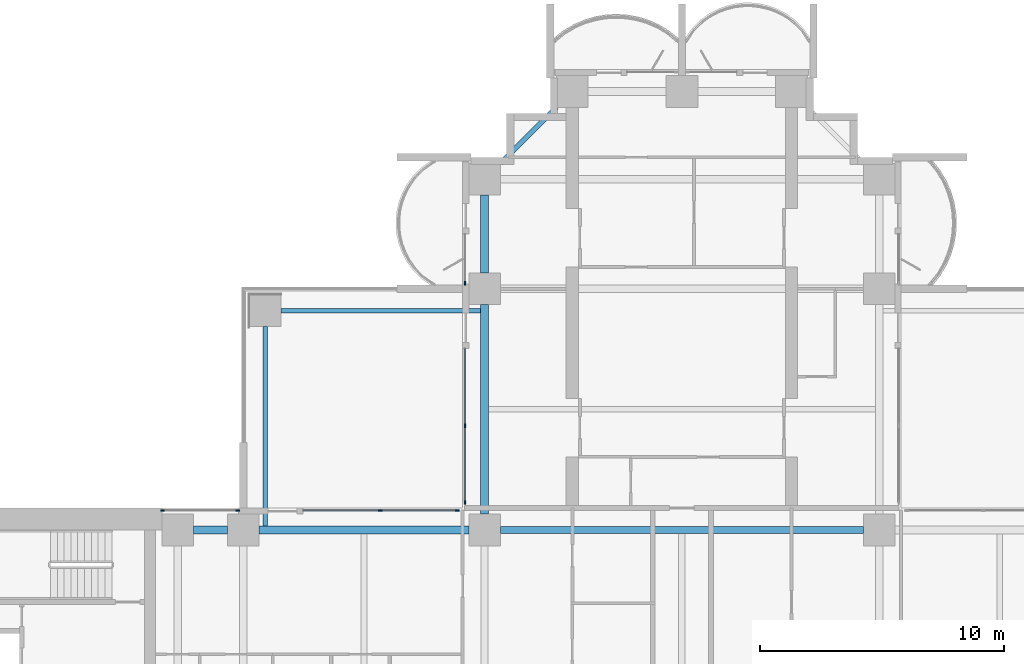
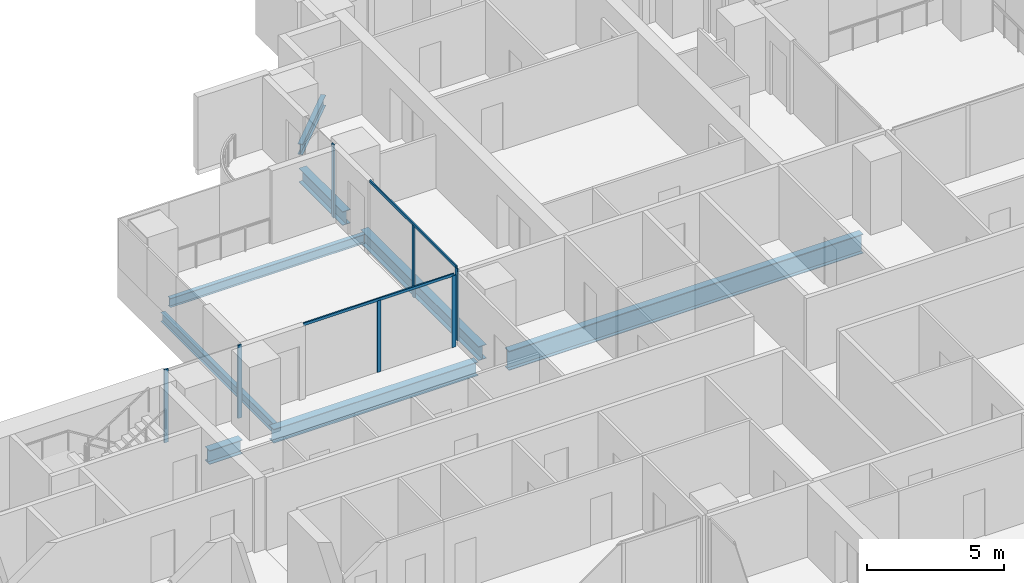
# One storey, part 5 of 21: 9 members, 8 beams, 4 elements without a shape of their own.
"""IFC4 building model written with IfcOpenShell, lengths in metres."""

from ifc_helpers import new_model, si_unit, direction, frame, origin, origin_2d, place, context, subcontext, project, spatial, rectangle, i_section, extrude, material, material_profile, profile_set, type_object, element, aggregate, save


model = new_model("IFC4")

# Units and contexts
model_context = context("Model", 3, precision=1e-05, world=origin(), true_north=direction((0.0, 1.0)))
body_context = subcontext(model_context, "Body", "Model", "MODEL_VIEW")
ifc_project = project(units=[si_unit("LENGTHUNIT", "METRE"), si_unit("AREAUNIT", "SQUARE_METRE"), si_unit("VOLUMEUNIT", "CUBIC_METRE"), si_unit("PLANEANGLEUNIT", "RADIAN"), si_unit("MASSUNIT", "GRAM", prefix="KILO")], contexts=[model_context])

# Site, building, storey
site_placement = place(None, origin())
site = spatial("IfcSite", under=ifc_project, at=site_placement, CompositionType="ELEMENT")
building_placement = place(site_placement, origin())
building = spatial("IfcBuilding", under=site, at=building_placement, Name="Perihelion Cross Residences", CompositionType="ELEMENT")
storey_placement = place(building_placement, frame((0.0, 0.0, 47.0)))
storey = spatial("IfcBuildingStorey", under=building, at=storey_placement, Name="L08", CompositionType="ELEMENT", Elevation=47.0)

# Curtain wall, member
ifc_material_1 = material(Name="Bronze anodised aluminium, tinted glazing", Category="aluminium")
curtain_wall_type = type_object("IfcCurtainWallType", Name="CW1", PredefinedType="NOTDEFINED", material=ifc_material_1)
curtain_wall_1_placement = place(storey_placement, origin())
curtain_wall_1 = element("IfcCurtainWall", 1, at=curtain_wall_1_placement, inside=storey, type_object=curtain_wall_type, Name="Curtain wall CW1 L08 north side west bay 1", PredefinedType="NOTDEFINED")
ifc_material_2 = material(Name="Bronze anodised aluminium", Category="aluminium")
ifc_material_profile_1 = material_profile(ifc_material_2, rectangle(XDim=0.06005859375, YDim=0.159912109375, at=origin_2d()), Name="CW1 mullion")
ifc_profile_set_1 = profile_set([ifc_material_profile_1], Name="Bronze anodised aluminium")
member_type_1 = type_object("IfcMemberType", Name="CW1 mullion", PredefinedType="MULLION", material=ifc_profile_set_1)
member_1_placement = place(storey_placement, frame((-8.89990234375, 18.22998046875, 0.0), z_axis=(0.0, 0.0, 1.0), x_axis=(1.0, 0.0, 0.0)))
member_1 = element("IfcMember", 2, at=member_1_placement, type_object=member_type_1, Name="CW1 mullion 2", PredefinedType="MULLION", context=body_context, shape_type="SweptSolid", body=[
    extrude(rectangle(XDim=0.06005859375, YDim=0.159912109375, at=origin_2d()), origin(), (0.0, 0.0, 1.0), 3.25),
])
aggregate(curtain_wall_1, [member_1])

# Curtain wall, members
curtain_wall_2_placement = place(storey_placement, origin())
curtain_wall_2 = element("IfcCurtainWall", 3, at=curtain_wall_2_placement, inside=storey, type_object=curtain_wall_type, Name="Curtain wall CW1 L08 north side west bay 2", PredefinedType="NOTDEFINED")
member_2_placement = place(storey_placement, frame((-8.89990234375, 12.375, 0.0), z_axis=(0.0, 0.0, 1.0), x_axis=(1.0, 0.0, 0.0)))
member_2 = element("IfcMember", 4, at=member_2_placement, type_object=member_type_1, Name="CW1 mullion 2", PredefinedType="MULLION", context=body_context, shape_type="SweptSolid", body=[
    extrude(rectangle(XDim=0.06005859375, YDim=0.159912109375, at=origin_2d()), origin(), (0.0, 0.0, 1.0), 3.18994140625),
])
member_3_placement = place(storey_placement, frame((-8.89990234375, 9.22998046875, 0.0), z_axis=(0.0, 0.0, 1.0), x_axis=(1.0, 0.0, 0.0)))
member_3 = element("IfcMember", 5, at=member_3_placement, type_object=member_type_1, Name="CW1 mullion 3", PredefinedType="MULLION", context=body_context, shape_type="SweptSolid", body=[
    extrude(rectangle(XDim=0.06005859375, YDim=0.159912109375, at=origin_2d()), origin(), (0.0, 0.0, 1.0), 3.18994140625),
])

curtain_wall_3_placement = place(storey_placement, origin())
curtain_wall_3 = element("IfcCurtainWall", 6, at=curtain_wall_3_placement, inside=storey, type_object=curtain_wall_type, Name="Curtain wall CW1 L08 west side north bay 1", PredefinedType="NOTDEFINED")
member_4_placement = place(storey_placement, frame((-9.22998046875, 8.89990234375, 0.0), z_axis=(0.0, 0.0, 1.0), x_axis=(0.0, -1.0, 0.0)))
member_4 = element("IfcMember", 7, at=member_4_placement, type_object=member_type_1, Name="CW1 mullion 1", PredefinedType="MULLION", context=body_context, shape_type="SweptSolid", body=[
    extrude(rectangle(XDim=0.06005859375, YDim=0.159912109375, at=origin_2d()), origin(), (0.0, 0.0, 1.0), 3.18994140625),
])
member_5_placement = place(storey_placement, frame((-12.375, 8.89990234375, 0.0), z_axis=(0.0, 0.0, 1.0), x_axis=(0.0, -1.0, 0.0)))
member_5 = element("IfcMember", 8, at=member_5_placement, type_object=member_type_1, Name="CW1 mullion 2", PredefinedType="MULLION", context=body_context, shape_type="SweptSolid", body=[
    extrude(rectangle(XDim=0.06005859375, YDim=0.159912109375, at=origin_2d()), origin(), (0.0, 0.0, 1.0), 3.18994140625),
])

curtain_wall_4_placement = place(storey_placement, origin())
curtain_wall_4 = element("IfcCurtainWall", 9, at=curtain_wall_4_placement, inside=storey, type_object=curtain_wall_type, Name="Curtain wall CW1 L08 west side north bay 2", PredefinedType="NOTDEFINED")
member_6_placement = place(storey_placement, frame((-18.22998046875, 8.89990234375, 0.0), z_axis=(0.0, 0.0, 1.0), x_axis=(0.0, -1.0, 0.0)))
member_6 = element("IfcMember", 10, at=member_6_placement, type_object=member_type_1, Name="CW1 mullion 1", PredefinedType="MULLION", context=body_context, shape_type="SweptSolid", body=[
    extrude(rectangle(XDim=0.06005859375, YDim=0.159912109375, at=origin_2d()), origin(), (0.0, 0.0, 1.0), 3.25),
])
member_7_placement = place(storey_placement, frame((-21.320068359375, 8.89990234375, 0.0), z_axis=(0.0, 0.0, 1.0), x_axis=(0.0, -1.0, 0.0)))
member_7 = element("IfcMember", 11, at=member_7_placement, type_object=member_type_1, Name="CW1 mullion 2", PredefinedType="MULLION", context=body_context, shape_type="SweptSolid", body=[
    extrude(rectangle(XDim=0.06005859375, YDim=0.159912109375, at=origin_2d()), origin(), (0.0, 0.0, 1.0), 3.25),
])
aggregate(curtain_wall_4, [member_6, member_7])

# Member
ifc_material_3 = material(Name="Bronze anodised aluminium", Category="aluminium")
ifc_material_profile_2 = material_profile(ifc_material_3, rectangle(XDim=0.06005859375, YDim=0.1201171875, at=origin_2d()), Name="CW1 transom")
ifc_profile_set_2 = profile_set([ifc_material_profile_2], Name="Bronze anodised aluminium")
member_type_2 = type_object("IfcMemberType", Name="CW1 transom", PredefinedType="USERDEFINED", material=ifc_profile_set_2)
member_8_placement = place(storey_placement, frame((-8.89990234375, 15.550048828125, 3.219970703125), z_axis=(0.0, -1.0, 0.0), x_axis=(1.0, 0.0, 0.0)))
member_8 = element("IfcMember", 12, at=member_8_placement, type_object=member_type_2, Name="CW1 head transom", ObjectType="TRANSOM", PredefinedType="USERDEFINED", context=body_context, shape_type="SweptSolid", body=[
    extrude(rectangle(XDim=0.06005859375, YDim=0.1201171875, at=origin_2d()), origin(), (0.0, 0.0, 1.0), 6.320068359375),
])

aggregate(curtain_wall_2, [member_2, member_3, member_8])

member_9_placement = place(storey_placement, frame((-9.22998046875, 8.89990234375, 3.219970703125), z_axis=(-1.0, 0.0, 0.0), x_axis=(0.0, -1.0, 0.0)))
member_9 = element("IfcMember", 13, at=member_9_placement, type_object=member_type_2, Name="CW1 head transom", ObjectType="TRANSOM", PredefinedType="USERDEFINED", context=body_context, shape_type="SweptSolid", body=[
    extrude(rectangle(XDim=0.06005859375, YDim=0.1201171875, at=origin_2d()), origin(), (0.0, 0.0, 1.0), 6.320068359375),
])

aggregate(curtain_wall_3, [member_4, member_5, member_9])

# Beams
ifc_material_4 = material(Name="Steel S355", Category="steel")
ifc_material_profile_3 = material_profile(ifc_material_4, i_section(OverallWidth=0.177978515625, OverallDepth=0.406005859375, WebThickness=0.0078125, FlangeThickness=0.0126953125, at=origin_2d()), Name="W410x60")
ifc_profile_set_3 = profile_set([ifc_material_profile_3], Name="Steel S355")
beam_type_1 = type_object("IfcBeamType", Name="Core edge beam W410x60", PredefinedType="BEAM", material=ifc_profile_set_3)
for number, where, z_axis, x_axis, name in (
    (14, (-17.10009765625, 8.262451171875, -0.452880859375), (0.0, 1.0, 0.0), (-1.0, 0.0, 0.0), "Core edge beam TB2 L08 corner no. 3"),
    (15, (-8.262451171875, 17.10009765625, -0.452880859375), (-1.0, 0.0, 0.0), (0.0, -1.0, 0.0), "Core edge beam TB2 L08 corner no. 4"),
):
    element("IfcBeam", number, at=place(storey_placement, frame(where, z_axis=z_axis, x_axis=x_axis)), inside=storey, type_object=beam_type_1, Name=name, PredefinedType="BEAM", context=body_context, shape_type="SweptSolid", body=[
        extrude(i_section(OverallWidth=0.177978515625, OverallDepth=0.406005859375, WebThickness=0.0078125, FlangeThickness=0.0126953125, at=origin_2d()), origin(), (0.0, 0.0, 1.0), 8.1875),
    ])
ifc_material_5 = material(Name="Steel S355", Category="steel")
ifc_material_profile_4 = material_profile(ifc_material_5, i_section(OverallWidth=0.324951171875, OverallDepth=0.616943359375, WebThickness=0.013916015625, FlangeThickness=0.021484375, at=origin_2d()), Name="W610x174")
ifc_profile_set_4 = profile_set([ifc_material_profile_4], Name="Steel S355")
beam_type_2 = type_object("IfcBeamType", Name="Edge beam W610x174", PredefinedType="SPANDREL", material=ifc_profile_set_4)
beam_1_placement = place(storey_placement, frame((-8.10009765625, 21.85009765625, -0.55859375), z_axis=(0.0, -1.0, 0.0), x_axis=(1.0, 0.0, 0.0)))
element("IfcBeam", 16, at=beam_1_placement, inside=storey, type_object=beam_type_2, Name="Edge beam SB2 L08 no. 8", PredefinedType="SPANDREL", context=body_context, shape_type="SweptSolid", body=[
    extrude(i_section(OverallWidth=0.324951171875, OverallDepth=0.616943359375, WebThickness=0.013916015625, FlangeThickness=0.021484375, at=origin_2d()), origin(), (0.0, 0.0, 1.0), 3.2001953125),
])
for number, where, z_axis, x_axis, name in (
    (17, (-8.10009765625, 17.35009765625, -0.55859375), (0.0, -1.0, 0.0), (1.0, 0.0, 0.0), "Edge beam SB2 L08 no. 7"),
    (18, (-8.75, 8.10009765625, -0.55859375), (-1.0, 0.0, 0.0), (0.0, -1.0, 0.0), "Edge beam SB2 L08 no. 9"),
):
    element("IfcBeam", number, at=place(storey_placement, frame(where, z_axis=z_axis, x_axis=x_axis)), inside=storey, type_object=beam_type_2, Name=name, PredefinedType="SPANDREL", context=body_context, shape_type="SweptSolid", body=[
        extrude(i_section(OverallWidth=0.324951171875, OverallDepth=0.616943359375, WebThickness=0.013916015625, FlangeThickness=0.021484375, at=origin_2d()), origin(), (0.0, 0.0, 1.0), 8.60009765625),
    ])
beam_2_placement = place(storey_placement, frame((-18.64990234375, 8.10009765625, -0.55859375), z_axis=(-1.0, 0.0, 0.0), x_axis=(0.0, -1.0, 0.0)))
element("IfcBeam", 19, at=beam_2_placement, inside=storey, type_object=beam_type_2, Name="Edge beam SB2 L08 no. 2", PredefinedType="SPANDREL", context=body_context, shape_type="SweptSolid", body=[
    extrude(i_section(OverallWidth=0.324951171875, OverallDepth=0.616943359375, WebThickness=0.013916015625, FlangeThickness=0.021484375, at=origin_2d()), origin(), (0.0, 0.0, 1.0), 1.400146484375),
])
ifc_material_6 = material(Name="Steel S355", Category="steel")
ifc_material_profile_5 = material_profile(ifc_material_6, i_section(OverallWidth=0.2919921875, OverallDepth=0.85888671875, WebThickness=0.01708984375, FlangeThickness=0.031005859375, at=origin_2d()), Name="W840x251")
ifc_profile_set_5 = profile_set([ifc_material_profile_5], Name="Steel S355")
beam_type_3 = type_object("IfcBeamType", Name="Hub ring girder W840x251", PredefinedType="BEAM", material=ifc_profile_set_5)
beam_3_placement = place(storey_placement, frame((7.449951171875, 8.10009765625, -0.679443359375), z_axis=(-1.0, 0.0, 0.0), x_axis=(0.0, -1.0, 0.0)))
element("IfcBeam", 20, at=beam_3_placement, inside=storey, type_object=beam_type_3, Name="Hub ring girder RG2 L08 no. 4", PredefinedType="BEAM", context=body_context, shape_type="SweptSolid", body=[
    extrude(i_section(OverallWidth=0.2919921875, OverallDepth=0.85888671875, WebThickness=0.01708984375, FlangeThickness=0.031005859375, at=origin_2d()), origin(), (0.0, 0.0, 1.0), 14.89990234375),
])
ifc_material_7 = material(Name="Steel S355", Category="steel")
ifc_material_profile_6 = material_profile(ifc_material_7, i_section(OverallWidth=0.194091796875, OverallDepth=0.469970703125, WebThickness=0.0126953125, FlangeThickness=0.0205078125, at=origin_2d()), Name="W460x106")
ifc_profile_set_6 = profile_set([ifc_material_profile_6], Name="Steel S355")
beam_type_4 = type_object("IfcBeamType", Name="Serration edge beam W460x106", PredefinedType="BEAM", material=ifc_profile_set_6)
beam_4_placement = place(storey_placement, frame((-5.14990234375, 25.449951171875, -0.485107421875), z_axis=(-0.707106781187, -0.707106781187, 0.0), x_axis=(0.707106781187, -0.707106781187, 0.0)))
element("IfcBeam", 21, at=beam_4_placement, inside=storey, type_object=beam_type_4, Name="Serration edge beam EB2 L08 no. 1", PredefinedType="BEAM", context=body_context, shape_type="SweptSolid", body=[
    extrude(i_section(OverallWidth=0.194091796875, OverallDepth=0.469970703125, WebThickness=0.0126953125, FlangeThickness=0.0205078125, at=origin_2d()), origin(), (0.0, 0.0, 1.0), 3.252685546875),
])

save(model, "model.ifc")
